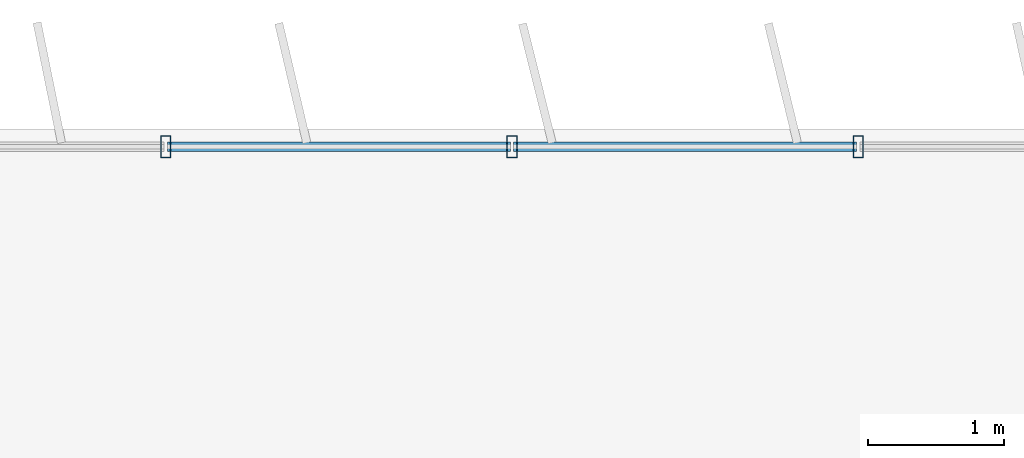
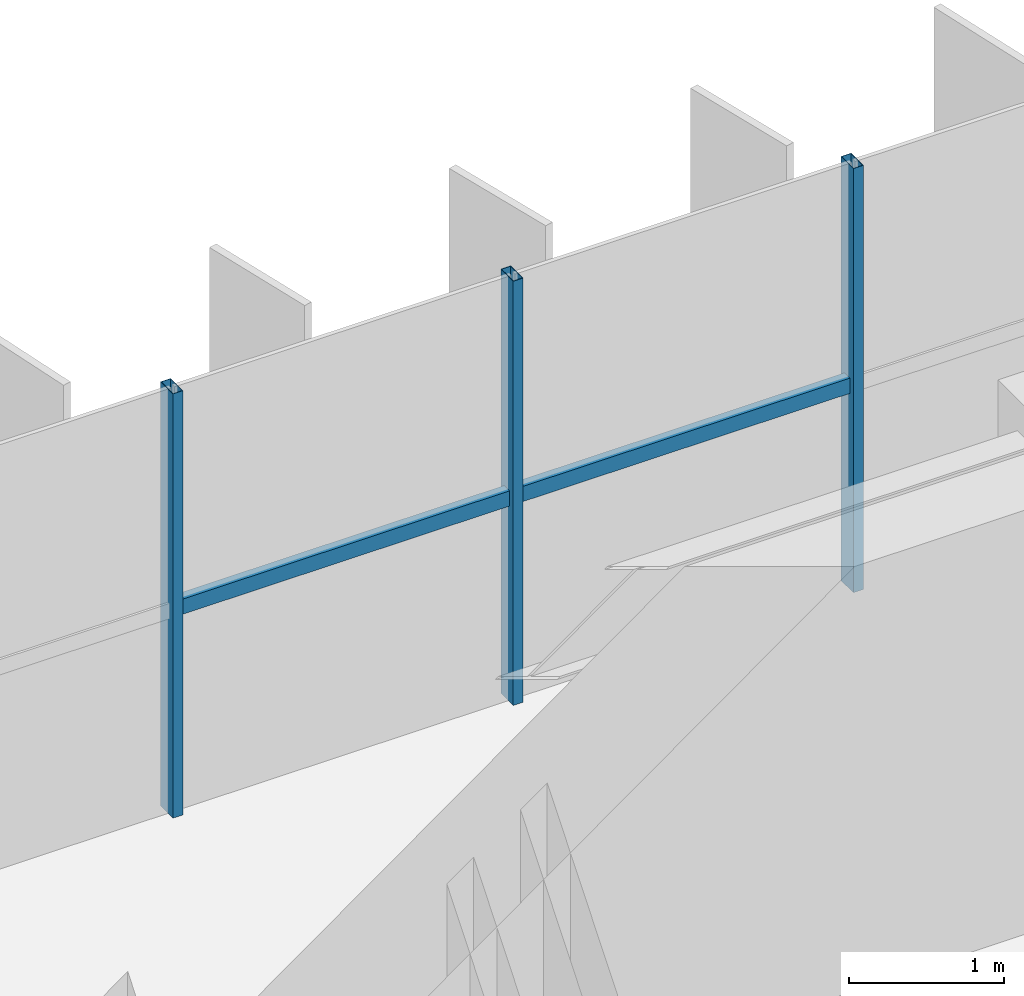
# One storey, part 9 of 24: 5 members, 1 element without a shape of its own.
"""IFC4 building model written with IfcOpenShell, lengths in metres."""

from ifc_helpers import new_model, si_unit, direction, frame, origin, origin_2d, place, context, subcontext, project, spatial, hollow_rectangle, extrude, source, transform, mapped, material, material_profile, profile_set, type_object, element, aggregate, save


model = new_model("IFC4")

# Units and contexts
model_context = context("Model", 3, precision=1e-05, world=origin(), true_north=direction((0.0, 1.0)))
body_context = subcontext(model_context, "Body", "Model", "MODEL_VIEW")
ifc_project = project(units=[si_unit("LENGTHUNIT", "METRE"), si_unit("AREAUNIT", "SQUARE_METRE"), si_unit("VOLUMEUNIT", "CUBIC_METRE"), si_unit("PLANEANGLEUNIT", "RADIAN"), si_unit("MASSUNIT", "GRAM", prefix="KILO")], contexts=[model_context])

# Site, building, storey
site_placement = place(None, origin())
site = spatial("IfcSite", under=ifc_project, at=site_placement, CompositionType="ELEMENT")
building_placement = place(site_placement, origin())
building = spatial("IfcBuilding", under=site, at=building_placement, Name="Trelvane Seafront Commons", CompositionType="ELEMENT")
storey_placement = place(building_placement, frame((0.0, 0.0, 175.300048828125)))
storey = spatial("IfcBuildingStorey", under=building, at=storey_placement, Name="L46", CompositionType="ELEMENT", Elevation=175.300048828125)

# Curtain wall, members
ifc_material = material(Name="Anodised pale-silver aluminium", Category="aluminium")
curtain_wall_type = type_object("IfcCurtainWallType", Name="ARCH-CW5-UPTOWER", PredefinedType="NOTDEFINED", material=ifc_material)
curtain_wall_placement = place(storey_placement, origin())
curtain_wall = element("IfcCurtainWall", 1, at=curtain_wall_placement, inside=storey, type_object=curtain_wall_type, Name="CW-L46-0073", PredefinedType="NOTDEFINED")
ifc_material_profile_1 = material_profile(ifc_material, hollow_rectangle(XDim=0.070068359375, YDim=0.1201171875, WallThickness=0.00390625, at=origin_2d()), Name="TRAN-70x120x4")
ifc_profile_set_1 = profile_set([ifc_material_profile_1], Name="Anodised pale-silver aluminium")
member_type_1 = type_object("IfcMemberType", Name="ARCH-CW-TRAN-120", PredefinedType="USERDEFINED", material=ifc_profile_set_1)
shared_shape_1 = source(origin(), body_context, "Body", "SweptSolid", [
    extrude(hollow_rectangle(XDim=0.070068359375, YDim=0.1201171875, WallThickness=0.00390625, at=origin_2d()), origin(), (0.0, 0.0, 1.0), 2.517333984375),
])
member_1_placement = place(storey_placement, frame((25.776611328125, 48.3701171875, 1.60791015625), z_axis=(1.0, 0.0, 0.0), x_axis=(0.0, 1.0, 0.0)))
member_1 = element("IfcMember", 2, at=member_1_placement, type_object=member_type_1, Name="CW-L46-0073-T04", ObjectType="TRANSOM", PredefinedType="USERDEFINED", context=body_context, shape_type="MappedRepresentation", body=[
    mapped(shared_shape_1, transform((0.0, 0.0, 0.0), x_axis=(1.0, 0.0, 0.0), y_axis=(0.0, 1.0, 0.0), z_axis=(0.0, 0.0, 1.0), scale=1.0)),
])
member_2_placement = place(storey_placement, frame((28.31787109375, 48.3701171875, 1.60791015625), z_axis=(1.0, 0.0, 0.0), x_axis=(0.0, 1.0, 0.0)))
member_2 = element("IfcMember", 3, at=member_2_placement, type_object=member_type_1, Name="CW-L46-0073-T05", ObjectType="TRANSOM", PredefinedType="USERDEFINED", context=body_context, shape_type="MappedRepresentation", body=[
    mapped(shared_shape_1, transform((0.0, 0.0, 0.0), x_axis=(1.0, 0.0, 0.0), y_axis=(0.0, 1.0, 0.0), z_axis=(0.0, 0.0, 1.0), scale=1.0)),
])
ifc_material_profile_2 = material_profile(ifc_material, hollow_rectangle(XDim=0.074951171875, YDim=0.159912109375, WallThickness=0.00390625, at=origin_2d()), Name="MULL-75x160x4")
ifc_profile_set_2 = profile_set([ifc_material_profile_2], Name="Anodised pale-silver aluminium")
member_type_2 = type_object("IfcMemberType", Name="ARCH-CW-MULL-160", PredefinedType="MULLION", material=ifc_profile_set_2)
shared_shape_2 = source(origin(), body_context, "Body", "SweptSolid", [
    extrude(hollow_rectangle(XDim=0.074951171875, YDim=0.159912109375, WallThickness=0.00390625, at=origin_2d()), origin(), (0.0, 0.0, 1.0), 3.349853515625),
])
member_3_placement = place(storey_placement, frame((25.7646484375, 48.3701171875, 0.0), z_axis=(0.0, 0.0, 1.0), x_axis=(1.0, 0.0, 0.0)))
member_3 = element("IfcMember", 4, at=member_3_placement, type_object=member_type_2, Name="CW-L46-0073-M04", PredefinedType="MULLION", context=body_context, shape_type="MappedRepresentation", body=[
    mapped(shared_shape_2, transform((0.0, 0.0, 0.0), x_axis=(1.0, 0.0, 0.0), y_axis=(0.0, 1.0, 0.0), z_axis=(0.0, 0.0, 1.0), scale=1.0)),
])
member_4_placement = place(storey_placement, frame((28.305908203125, 48.3701171875, 0.0), z_axis=(0.0, 0.0, 1.0), x_axis=(1.0, 0.0, 0.0)))
member_4 = element("IfcMember", 5, at=member_4_placement, type_object=member_type_2, Name="CW-L46-0073-M05", PredefinedType="MULLION", context=body_context, shape_type="MappedRepresentation", body=[
    mapped(shared_shape_2, transform((0.0, 0.0, 0.0), x_axis=(1.0, 0.0, 0.0), y_axis=(0.0, 1.0, 0.0), z_axis=(0.0, 0.0, 1.0), scale=1.0)),
])
member_5_placement = place(storey_placement, frame((30.84716796875, 48.3701171875, 0.0), z_axis=(0.0, 0.0, 1.0), x_axis=(1.0, 0.0, 0.0)))
member_5 = element("IfcMember", 6, at=member_5_placement, type_object=member_type_2, Name="CW-L46-0073-M06", PredefinedType="MULLION", context=body_context, shape_type="MappedRepresentation", body=[
    mapped(shared_shape_2, transform((0.0, 0.0, 0.0), x_axis=(1.0, 0.0, 0.0), y_axis=(0.0, 1.0, 0.0), z_axis=(0.0, 0.0, 1.0), scale=1.0)),
])
aggregate(curtain_wall, [member_3, member_4, member_5, member_1, member_2])

save(model, "model.ifc")
